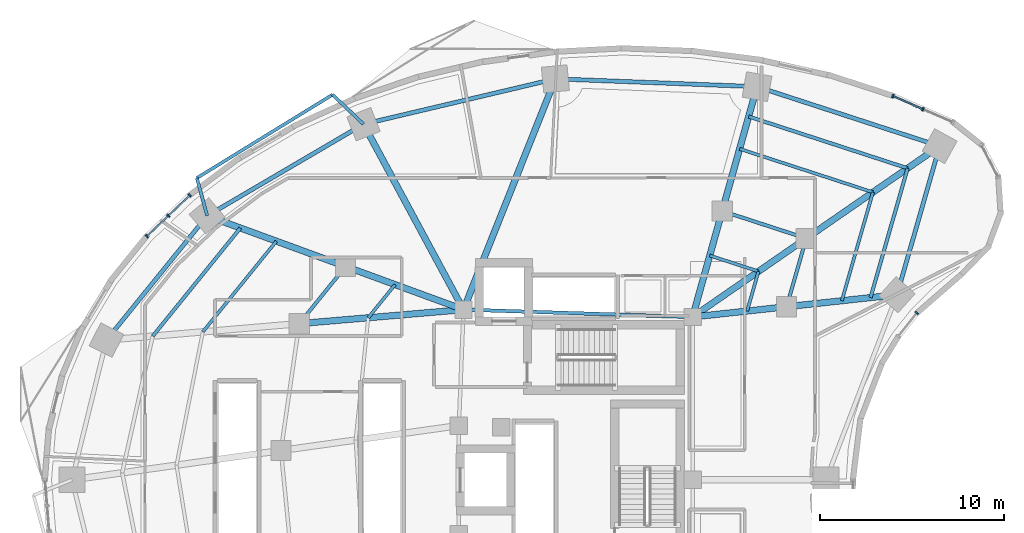
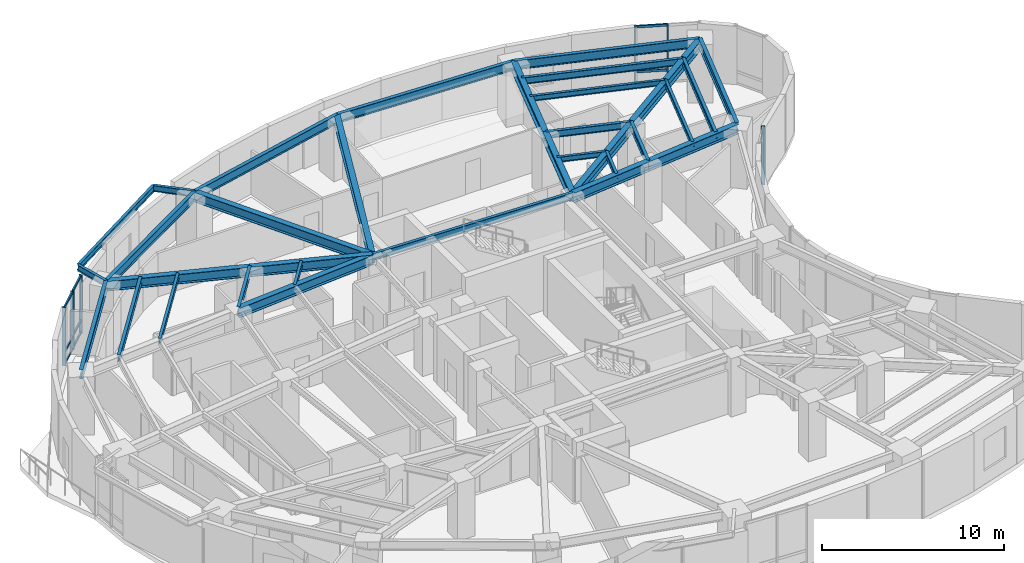
# One storey, part 5 of 15: 33 beams, 15 members, 3 elements without a shape of their own.
"""IFC4 building model written with IfcOpenShell, lengths in metres."""

from ifc_helpers import new_model, si_unit, direction, frame, origin, origin_2d, place, context, subcontext, project, spatial, rectangle, i_section, extrude, material, layer, layer_set, material_profile, profile_set, type_object, element, aggregate, save


model = new_model("IFC4")

# Units and contexts
model_context = context("Model", 3, precision=1e-05, world=origin(), true_north=direction((0.0, 1.0)))
body_context = subcontext(model_context, "Body", "Model", "MODEL_VIEW")
ifc_project = project(units=[si_unit("LENGTHUNIT", "METRE"), si_unit("AREAUNIT", "SQUARE_METRE"), si_unit("VOLUMEUNIT", "CUBIC_METRE"), si_unit("PLANEANGLEUNIT", "RADIAN"), si_unit("MASSUNIT", "GRAM", prefix="KILO")], contexts=[model_context])

# Site, building, storey
site_placement = place(None, origin())
site = spatial("IfcSite", under=ifc_project, at=site_placement, CompositionType="ELEMENT")
building_placement = place(site_placement, origin())
building = spatial("IfcBuilding", under=site, at=building_placement, Name="Korentha Bioscience Tower", CompositionType="ELEMENT")
storey_placement = place(building_placement, frame((0.0, 0.0, 34.199951171875)))
storey = spatial("IfcBuildingStorey", under=building, at=storey_placement, Name="L07", CompositionType="ELEMENT", Elevation=34.199951171875)

# Beams
ifc_material_1 = material(Name="Steel S355", Category="steel")
ifc_material_profile_1 = material_profile(ifc_material_1, i_section(OverallWidth=0.18994140625, OverallDepth=0.45703125, WebThickness=0.009033203125, FlangeThickness=0.014404296875, at=origin_2d()), Name="Steel S355")
ifc_profile_set_1 = profile_set([ifc_material_profile_1], Name="Steel S355 (MB-460)")
beam_type_1 = type_object("IfcBeamType", Name="Mid-Ring Tie Girder W460x74", PredefinedType="BEAM", material=ifc_profile_set_1)
beam_1_placement = place(storey_placement, frame((43.7265625, 40.121337890625, 3.671630859375), z_axis=(-0.950877001105, 0.309568940253, 0.0), x_axis=(-0.309568940253, -0.950877001105, 0.0)))
element("IfcBeam", 1, at=beam_1_placement, inside=storey, type_object=beam_type_1, Name="L07 Mid-Ring Tie Girder 01", PredefinedType="BEAM", context=body_context, shape_type="SweptSolid", body=[
    extrude(i_section(OverallWidth=0.18994140625, OverallDepth=0.45703125, WebThickness=0.009033203125, FlangeThickness=0.014404296875, at=origin_2d()), origin(), (0.0, 0.0, 1.0), 4.80126953125),
])
beam_2_placement = place(storey_placement, frame((18.692138671875, 38.5947265625, 3.671630859375), z_axis=(-0.629790009744, -0.776765436684, 0.0), x_axis=(0.776765436684, -0.629790009744, 0.0)))
element("IfcBeam", 2, at=beam_2_placement, inside=storey, type_object=beam_type_1, Name="L07 Mid-Ring Tie Girder 05", PredefinedType="BEAM", context=body_context, shape_type="SweptSolid", body=[
    extrude(i_section(OverallWidth=0.18994140625, OverallDepth=0.45703125, WebThickness=0.009033203125, FlangeThickness=0.014404296875, at=origin_2d()), origin(), (0.0, 0.0, 1.0), 3.998291015625),
])
beam_3_placement = place(storey_placement, frame((42.66162109375, 36.406982421875, 3.671630859375), z_axis=(0.27560557792, 0.961270807535, 0.0), x_axis=(-0.961270807535, 0.27560557792, 0.0)))
element("IfcBeam", 3, at=beam_3_placement, inside=storey, type_object=beam_type_1, Name="L07 Mid-Ring Tie Girder 16", PredefinedType="BEAM", context=body_context, shape_type="SweptSolid", body=[
    extrude(i_section(OverallWidth=0.18994140625, OverallDepth=0.45703125, WebThickness=0.009033203125, FlangeThickness=0.014404296875, at=origin_2d()), origin(), (0.0, 0.0, 1.0), 3.864013671875),
])
beam_4_placement = place(storey_placement, frame((37.550048828125, 35.85009765625, 3.671630859375), z_axis=(-0.999484526071, 0.032104238723, 0.0), x_axis=(-0.032104238723, -0.999484526071, 0.0)))
element("IfcBeam", 4, at=beam_4_placement, inside=storey, type_object=beam_type_1, Name="L07 Core Ring Tie Girder 01", PredefinedType="BEAM", context=body_context, shape_type="SweptSolid", body=[
    extrude(i_section(OverallWidth=0.18994140625, OverallDepth=0.45703125, WebThickness=0.009033203125, FlangeThickness=0.014404296875, at=origin_2d()), origin(), (0.0, 0.0, 1.0), 12.456298828125),
])

# Curtain wall, members
ifc_material_2 = material(Name="Thermally Broken Aluminium Frame", Category="aluminium")
ifc_layer = layer(ifc_material_2, 0.219970703125, Name="Thermally Broken Aluminium Frame")
ifc_layer_set = layer_set([ifc_layer], Name="Thermally Broken Aluminium Frame (CW-T1)")
curtain_wall_type = type_object("IfcCurtainWallType", Name="Standard Bioscience Lab Unitised Curtain Wall CW-T1", PredefinedType="USERDEFINED", material=ifc_layer_set)
curtain_wall_1_placement = place(storey_placement, origin())
curtain_wall_1 = element("IfcCurtainWall", 5, at=curtain_wall_1_placement, inside=storey, type_object=curtain_wall_type, Name="L07 Curtain Wall 01", ObjectType="UNITISED", PredefinedType="USERDEFINED")
ifc_material_3 = material(Name="Anodised Aluminium 6063-T6", Category="aluminium")
ifc_material_profile_2 = material_profile(ifc_material_3, rectangle(XDim=0.090087890625, YDim=0.199951171875, at=origin_2d()), Name="Anodised Aluminium 6063-T6")
ifc_profile_set_2 = profile_set([ifc_material_profile_2], Name="Anodised Aluminium 6063-T6 (CW-MUL)")
member_type_1 = type_object("IfcMemberType", Name="Mullion RECT 90x200", PredefinedType="MULLION", material=ifc_profile_set_2)
member_1_placement = place(storey_placement, frame((50.072998046875, 47.139404296875, 0.0), z_axis=(0.0, 0.0, 1.0), x_axis=(-0.91593909057, 0.401317308828, 0.0)))
member_1 = element("IfcMember", 6, at=member_1_placement, type_object=member_type_1, Name="CW-L07-01 Mullion 2", PredefinedType="MULLION", context=body_context, shape_type="SweptSolid", body=[
    extrude(rectangle(XDim=0.090087890625, YDim=0.199951171875, at=origin_2d()), origin(), (0.0, 0.0, 1.0), 3.900146484375),
])
member_2_placement = place(storey_placement, frame((48.43212890625, 47.8583984375, 0.0), z_axis=(0.0, 0.0, 1.0), x_axis=(-0.91593909057, 0.401317308828, 0.0)))
member_2 = element("IfcMember", 7, at=member_2_placement, type_object=member_type_1, Name="CW-L07-01 Mullion 3", PredefinedType="MULLION", context=body_context, shape_type="SweptSolid", body=[
    extrude(rectangle(XDim=0.090087890625, YDim=0.199951171875, at=origin_2d()), origin(), (0.0, 0.0, 1.0), 3.900146484375),
])

curtain_wall_2_placement = place(storey_placement, origin())
curtain_wall_2 = element("IfcCurtainWall", 8, at=curtain_wall_2_placement, inside=storey, type_object=curtain_wall_type, Name="L07 Curtain Wall 13", ObjectType="UNITISED", PredefinedType="USERDEFINED")
member_3_placement = place(storey_placement, frame((10.228759765625, 42.467041015625, 0.0), z_axis=(0.0, 0.0, 1.0), x_axis=(-0.723641761581, -0.690175775361, 0.0)))
member_3 = element("IfcMember", 9, at=member_3_placement, type_object=member_type_1, Name="CW-L07-13 Mullion 1", PredefinedType="MULLION", context=body_context, shape_type="SweptSolid", body=[
    extrude(rectangle(XDim=0.090087890625, YDim=0.199951171875, at=origin_2d()), origin(), (0.0, 0.0, 1.0), 3.900146484375),
])
member_4_placement = place(storey_placement, frame((9.05908203125, 41.3515625, 0.0), z_axis=(0.0, 0.0, 1.0), x_axis=(-0.723641761581, -0.690175775361, 0.0)))
member_4 = element("IfcMember", 10, at=member_4_placement, type_object=member_type_1, Name="CW-L07-13 Mullion 2", PredefinedType="MULLION", context=body_context, shape_type="SweptSolid", body=[
    extrude(rectangle(XDim=0.090087890625, YDim=0.199951171875, at=origin_2d()), origin(), (0.0, 0.0, 1.0), 3.900146484375),
])
member_5_placement = place(storey_placement, frame((7.889404296875, 40.236083984375, 0.0), z_axis=(0.0, 0.0, 1.0), x_axis=(-0.723641761581, -0.690175775361, 0.0)))
member_5 = element("IfcMember", 11, at=member_5_placement, type_object=member_type_1, Name="CW-L07-13 Mullion 3", PredefinedType="MULLION", context=body_context, shape_type="SweptSolid", body=[
    extrude(rectangle(XDim=0.090087890625, YDim=0.199951171875, at=origin_2d()), origin(), (0.0, 0.0, 1.0), 3.900146484375),
])

# Curtain wall, member
curtain_wall_3_placement = place(storey_placement, origin())
curtain_wall_3 = element("IfcCurtainWall", 12, at=curtain_wall_3_placement, inside=storey, type_object=curtain_wall_type, Name="L07 Curtain Wall 55", ObjectType="UNITISED", PredefinedType="USERDEFINED")
member_6_placement = place(storey_placement, frame((49.73291015625, 36.072021484375, 0.0), z_axis=(0.0, 0.0, 1.0), x_axis=(0.622520324648, 0.782603632371, 0.0)))
member_6 = element("IfcMember", 13, at=member_6_placement, type_object=member_type_1, Name="CW-L07-55 Mullion 2", PredefinedType="MULLION", context=body_context, shape_type="SweptSolid", body=[
    extrude(rectangle(XDim=0.090087890625, YDim=0.199951171875, at=origin_2d()), origin(), (0.0, 0.0, 1.0), 3.900146484375),
])
aggregate(curtain_wall_3, [member_6])

# Beams
ifc_material_profile_3 = material_profile(ifc_material_1, i_section(OverallWidth=0.22802734375, OverallDepth=0.60791015625, WebThickness=0.01123046875, FlangeThickness=0.017333984375, at=origin_2d()), Name="Steel S355")
ifc_profile_set_3 = profile_set([ifc_material_profile_3], Name="Steel S355 (SB-610)")
beam_type_2 = type_object("IfcBeamType", Name="Perimeter Ring Spandrel Girder W610x113", PredefinedType="SPANDREL", material=ifc_profile_set_3)
beam_5_placement = place(storey_placement, frame((50.977294921875, 45.135498046875, 3.595947265625), z_axis=(-0.95087511444, 0.309574735305, 0.0), x_axis=(-0.309574735305, -0.95087511444, 0.0)))
element("IfcBeam", 14, at=beam_5_placement, inside=storey, type_object=beam_type_2, Name="L07 Perimeter Spandrel Girder 01", PredefinedType="SPANDREL", context=body_context, shape_type="SweptSolid", body=[
    extrude(i_section(OverallWidth=0.22802734375, OverallDepth=0.60791015625, WebThickness=0.01123046875, FlangeThickness=0.017333984375, at=origin_2d()), origin(), (0.0, 0.0, 1.0), 10.4375),
])
beam_6_placement = place(storey_placement, frame((41.052490234375, 48.36669921875, 3.595947265625), z_axis=(-0.999246003889, 0.03882555488, 0.0), x_axis=(-0.03882555488, -0.999246003889, 0.0)))
element("IfcBeam", 15, at=beam_6_placement, inside=storey, type_object=beam_type_2, Name="L07 Perimeter Spandrel Girder 02", PredefinedType="SPANDREL", context=body_context, shape_type="SweptSolid", body=[
    extrude(i_section(OverallWidth=0.22802734375, OverallDepth=0.60791015625, WebThickness=0.01123046875, FlangeThickness=0.017333984375, at=origin_2d()), origin(), (0.0, 0.0, 1.0), 10.966552734375),
])
beam_7_placement = place(storey_placement, frame((30.09423828125, 48.79248046875, 3.595947265625), z_axis=(-0.973207885376, -0.229926970672, 0.0), x_axis=(0.229926970672, -0.973207885376, 0.0)))
element("IfcBeam", 16, at=beam_7_placement, inside=storey, type_object=beam_type_2, Name="L07 Perimeter Spandrel Girder 03", PredefinedType="SPANDREL", context=body_context, shape_type="SweptSolid", body=[
    extrude(i_section(OverallWidth=0.22802734375, OverallDepth=0.60791015625, WebThickness=0.01123046875, FlangeThickness=0.017333984375, at=origin_2d()), origin(), (0.0, 0.0, 1.0), 10.71484375),
])
beam_8_placement = place(storey_placement, frame((19.66650390625, 46.328857421875, 3.595947265625), z_axis=(-0.862656574181, -0.505790109653, 0.0), x_axis=(0.505790109653, -0.862656574181, 0.0)))
element("IfcBeam", 17, at=beam_8_placement, inside=storey, type_object=beam_type_2, Name="L07 Perimeter Spandrel Girder 04", PredefinedType="SPANDREL", context=body_context, shape_type="SweptSolid", body=[
    extrude(i_section(OverallWidth=0.22802734375, OverallDepth=0.60791015625, WebThickness=0.01123046875, FlangeThickness=0.017333984375, at=origin_2d()), origin(), (0.0, 0.0, 1.0), 9.849365234375),
])
beam_9_placement = place(storey_placement, frame((11.169921875, 41.34716796875, 3.595947265625), z_axis=(-0.629799210231, -0.776757976974, 0.0), x_axis=(0.776757976974, -0.629799210231, 0.0)))
element("IfcBeam", 18, at=beam_9_placement, inside=storey, type_object=beam_type_2, Name="L07 Perimeter Spandrel Girder 05", PredefinedType="SPANDREL", context=body_context, shape_type="SweptSolid", body=[
    extrude(i_section(OverallWidth=0.22802734375, OverallDepth=0.60791015625, WebThickness=0.01123046875, FlangeThickness=0.017333984375, at=origin_2d()), origin(), (0.0, 0.0, 1.0), 8.69189453125),
])
beam_10_placement = place(storey_placement, frame((48.661865234375, 37.060791015625, 3.595947265625), z_axis=(0.275642273411, 0.961260285827, 0.0), x_axis=(-0.961260285827, 0.275642273411, 0.0)))
element("IfcBeam", 19, at=beam_10_placement, inside=storey, type_object=beam_type_2, Name="L07 Perimeter Spandrel Girder 16", PredefinedType="SPANDREL", context=body_context, shape_type="SweptSolid", body=[
    extrude(i_section(OverallWidth=0.22802734375, OverallDepth=0.60791015625, WebThickness=0.01123046875, FlangeThickness=0.017333984375, at=origin_2d()), origin(), (0.0, 0.0, 1.0), 8.400146484375),
])
ifc_material_profile_4 = material_profile(ifc_material_1, i_section(OverallWidth=0.18994140625, OverallDepth=0.45703125, WebThickness=0.009033203125, FlangeThickness=0.014404296875, at=origin_2d()), Name="Steel S355")
ifc_profile_set_4 = profile_set([ifc_material_profile_4], Name="Steel S355 (RB-460)")
beam_type_3 = type_object("IfcBeamType", Name="Radial Laboratory Beam W460x74", PredefinedType="BEAM", material=ifc_profile_set_4)
beam_11_placement = place(storey_placement, frame((49.2373046875, 43.931884765625, 3.671630859375), z_axis=(-0.95087437499, 0.309577006554, 0.0), x_axis=(-0.309577006554, -0.95087437499, 0.0)))
element("IfcBeam", 20, at=beam_11_placement, inside=storey, type_object=beam_type_3, Name="L07 Secondary Floor Beam JSTO-01", PredefinedType="BEAM", context=body_context, shape_type="SweptSolid", body=[
    extrude(i_section(OverallWidth=0.18994140625, OverallDepth=0.45703125, WebThickness=0.009033203125, FlangeThickness=0.014404296875, at=origin_2d()), origin(), (0.0, 0.0, 1.0), 9.0849609375),
])
beam_12_placement = place(storey_placement, frame((12.97509765625, 40.6865234375, 3.671630859375), z_axis=(-0.629797748553, -0.776759162107, 0.0), x_axis=(0.776759162107, -0.629797748553, 0.0)))
element("IfcBeam", 21, at=beam_12_placement, inside=storey, type_object=beam_type_3, Name="L07 Secondary Floor Beam JSTO-05", PredefinedType="BEAM", context=body_context, shape_type="SweptSolid", body=[
    extrude(i_section(OverallWidth=0.18994140625, OverallDepth=0.45703125, WebThickness=0.009033203125, FlangeThickness=0.014404296875, at=origin_2d()), origin(), (0.0, 0.0, 1.0), 7.5654296875),
])
beam_13_placement = place(storey_placement, frame((47.2216796875, 36.90380859375, 3.671630859375), z_axis=(0.275682421415, 0.961248772443, 0.0), x_axis=(-0.961248772443, 0.275682421415, 0.0)))
element("IfcBeam", 22, at=beam_13_placement, inside=storey, type_object=beam_type_3, Name="L07 Secondary Floor Beam JSTO-16", PredefinedType="BEAM", context=body_context, shape_type="SweptSolid", body=[
    extrude(i_section(OverallWidth=0.18994140625, OverallDepth=0.45703125, WebThickness=0.009033203125, FlangeThickness=0.014404296875, at=origin_2d()), origin(), (0.0, 0.0, 1.0), 7.3115234375),
])
ifc_material_profile_5 = material_profile(ifc_material_1, i_section(OverallWidth=0.35009765625, OverallDepth=0.64990234375, WebThickness=0.01611328125, FlangeThickness=0.02490234375, at=origin_2d()), Name="Steel S355")
ifc_profile_set_5 = profile_set([ifc_material_profile_5], Name="Steel S355 (RB-650)")
beam_type_4 = type_object("IfcBeamType", Name="Radial Laboratory Girder CVS 650x208", PredefinedType="BEAM", material=ifc_profile_set_5)
beam_14_placement = place(storey_placement, frame((37.550048828125, 35.85009765625, 3.574951171875), z_axis=(0.822491697625, 0.568777115694, 0.0), x_axis=(-0.568777115694, 0.822491697625, 0.0)))
element("IfcBeam", 23, at=beam_14_placement, inside=storey, type_object=beam_type_4, Name="L07 Inner Radial Girder 01", PredefinedType="BEAM", context=body_context, shape_type="SweptSolid", body=[
    extrude(i_section(OverallWidth=0.35009765625, OverallDepth=0.64990234375, WebThickness=0.01611328125, FlangeThickness=0.02490234375, at=origin_2d()), origin(), (0.0, 0.0, 1.0), 7.509521484375),
])
beam_15_placement = place(storey_placement, frame((43.7265625, 40.121337890625, 3.574951171875), z_axis=(0.822488186113, 0.568782193555, 0.0), x_axis=(-0.568782193555, 0.822488186113, 0.0)))
element("IfcBeam", 24, at=beam_15_placement, inside=storey, type_object=beam_type_4, Name="L07 Outer Radial Girder 01", PredefinedType="BEAM", context=body_context, shape_type="SweptSolid", body=[
    extrude(i_section(OverallWidth=0.35009765625, OverallDepth=0.64990234375, WebThickness=0.01611328125, FlangeThickness=0.02490234375, at=origin_2d()), origin(), (0.0, 0.0, 1.0), 8.815673828125),
])
beam_16_placement = place(storey_placement, frame((37.550048828125, 35.85009765625, 3.574951171875), z_axis=(0.269469369205, 0.963008961049, 0.0), x_axis=(-0.963008961049, 0.269469369205, 0.0)))
element("IfcBeam", 25, at=beam_16_placement, inside=storey, type_object=beam_type_4, Name="L07 Inner Radial Girder 02", PredefinedType="BEAM", context=body_context, shape_type="SweptSolid", body=[
    extrude(i_section(OverallWidth=0.35009765625, OverallDepth=0.64990234375, WebThickness=0.01611328125, FlangeThickness=0.02490234375, at=origin_2d()), origin(), (0.0, 0.0, 1.0), 5.978759765625),
])
beam_17_placement = place(storey_placement, frame((39.1611328125, 41.607666015625, 3.574951171875), z_axis=(0.269475095129, 0.963007358801, 0.0), x_axis=(-0.963007358801, 0.269475095129, 0.0)))
element("IfcBeam", 26, at=beam_17_placement, inside=storey, type_object=beam_type_4, Name="L07 Outer Radial Girder 02", PredefinedType="BEAM", context=body_context, shape_type="SweptSolid", body=[
    extrude(i_section(OverallWidth=0.35009765625, OverallDepth=0.64990234375, WebThickness=0.01611328125, FlangeThickness=0.02490234375, at=origin_2d()), origin(), (0.0, 0.0, 1.0), 7.0185546875),
])
beam_18_placement = place(storey_placement, frame((25.10009765625, 36.25, 3.574951171875), z_axis=(0.369931007413, 0.929059228335, 0.0), x_axis=(-0.929059228335, 0.369931007413, 0.0)))
element("IfcBeam", 27, at=beam_18_placement, inside=storey, type_object=beam_type_4, Name="L07 Radial Girder 03", PredefinedType="BEAM", context=body_context, shape_type="SweptSolid", body=[
    extrude(i_section(OverallWidth=0.35009765625, OverallDepth=0.64990234375, WebThickness=0.01611328125, FlangeThickness=0.02490234375, at=origin_2d()), origin(), (0.0, 0.0, 1.0), 13.500244140625),
])
beam_19_placement = place(storey_placement, frame((25.10009765625, 36.25, 3.574951171875), z_axis=(-0.47454097106, 0.880233416081, 0.0), x_axis=(-0.880233416081, -0.47454097106, 0.0)))
element("IfcBeam", 28, at=beam_19_placement, inside=storey, type_object=beam_type_4, Name="L07 Radial Girder 04", PredefinedType="BEAM", context=body_context, shape_type="SweptSolid", body=[
    extrude(i_section(OverallWidth=0.35009765625, OverallDepth=0.64990234375, WebThickness=0.01611328125, FlangeThickness=0.02490234375, at=origin_2d()), origin(), (0.0, 0.0, 1.0), 11.4501953125),
])
beam_20_placement = place(storey_placement, frame((25.10009765625, 36.25, 3.574951171875), z_axis=(-0.939106237741, 0.343626940498, 0.0), x_axis=(-0.343626940498, -0.939106237741, 0.0)))
element("IfcBeam", 29, at=beam_20_placement, inside=storey, type_object=beam_type_4, Name="L07 Inner Radial Girder 05", PredefinedType="BEAM", context=body_context, shape_type="SweptSolid", body=[
    extrude(i_section(OverallWidth=0.35009765625, OverallDepth=0.64990234375, WebThickness=0.01611328125, FlangeThickness=0.02490234375, at=origin_2d()), origin(), (0.0, 0.0, 1.0), 6.823486328125),
])
beam_21_placement = place(storey_placement, frame((18.692138671875, 38.5947265625, 3.574951171875), z_axis=(-0.939106299948, 0.343626770491, 0.0), x_axis=(-0.343626770491, -0.939106299948, 0.0)))
element("IfcBeam", 30, at=beam_21_placement, inside=storey, type_object=beam_type_4, Name="L07 Outer Radial Girder 05", PredefinedType="BEAM", context=body_context, shape_type="SweptSolid", body=[
    extrude(i_section(OverallWidth=0.35009765625, OverallDepth=0.64990234375, WebThickness=0.01611328125, FlangeThickness=0.02490234375, at=origin_2d()), origin(), (0.0, 0.0, 1.0), 8.010009765625),
])
beam_22_placement = place(storey_placement, frame((25.10009765625, 36.25, 3.574951171875), z_axis=(-0.996385503026, -0.08494662654, 0.0), x_axis=(0.08494662654, -0.996385503026, 0.0)))
element("IfcBeam", 31, at=beam_22_placement, inside=storey, type_object=beam_type_4, Name="L07 Inner Radial Girder 06", PredefinedType="BEAM", context=body_context, shape_type="SweptSolid", body=[
    extrude(i_section(OverallWidth=0.35009765625, OverallDepth=0.64990234375, WebThickness=0.01611328125, FlangeThickness=0.02490234375, at=origin_2d()), origin(), (0.0, 0.0, 1.0), 8.95849609375),
])
beam_23_placement = place(storey_placement, frame((37.550048828125, 35.85009765625, 3.574951171875), z_axis=(0.994117709144, 0.10830503389, 0.0), x_axis=(-0.10830503389, 0.994117709144, 0.0)))
element("IfcBeam", 32, at=beam_23_placement, inside=storey, type_object=beam_type_4, Name="L07 Inner Radial Girder 16", PredefinedType="BEAM", context=body_context, shape_type="SweptSolid", body=[
    extrude(i_section(OverallWidth=0.35009765625, OverallDepth=0.64990234375, WebThickness=0.01611328125, FlangeThickness=0.02490234375, at=origin_2d()), origin(), (0.0, 0.0, 1.0), 5.141845703125),
])
beam_24_placement = place(storey_placement, frame((42.66162109375, 36.406982421875, 3.574951171875), z_axis=(0.994115805925, 0.108322501862, 0.0), x_axis=(-0.108322501862, 0.994115805925, 0.0)))
element("IfcBeam", 33, at=beam_24_placement, inside=storey, type_object=beam_type_4, Name="L07 Outer Radial Girder 16", PredefinedType="BEAM", context=body_context, shape_type="SweptSolid", body=[
    extrude(i_section(OverallWidth=0.35009765625, OverallDepth=0.64990234375, WebThickness=0.01611328125, FlangeThickness=0.02490234375, at=origin_2d()), origin(), (0.0, 0.0, 1.0), 6.03564453125),
])
ifc_material_profile_6 = material_profile(ifc_material_1, i_section(OverallWidth=0.1708984375, OverallDepth=0.35498046875, WebThickness=0.007080078125, FlangeThickness=0.01171875, at=origin_2d()), Name="Steel S355")
ifc_profile_set_6 = profile_set([ifc_material_profile_6], Name="Steel S355 (JB-360)")
beam_type_5 = type_object("IfcBeamType", Name="Secondary Laboratory Joist W360x51", PredefinedType="JOIST", material=ifc_profile_set_6)
beam_25_placement = place(storey_placement, frame((47.35205078125, 42.62841796875, 3.72265625), z_axis=(-0.950870992772, 0.309587394938, 0.0), x_axis=(-0.309587394938, -0.950870992772, 0.0)))
element("IfcBeam", 34, at=beam_25_placement, inside=storey, type_object=beam_type_5, Name="L07 Secondary Floor Beam JST-01", PredefinedType="JOIST", context=body_context, shape_type="SweptSolid", body=[
    extrude(i_section(OverallWidth=0.1708984375, OverallDepth=0.35498046875, WebThickness=0.007080078125, FlangeThickness=0.01171875, at=origin_2d()), origin(), (0.0, 0.0, 1.0), 7.619384765625),
])
beam_26_placement = place(storey_placement, frame((41.13232421875, 38.327392578125, 3.72265625), z_axis=(-0.950869630746, 0.309591578254, 0.0), x_axis=(-0.309591578254, -0.950869630746, 0.0)))
element("IfcBeam", 35, at=beam_26_placement, inside=storey, type_object=beam_type_5, Name="L07 Inner Bay Joist 01", PredefinedType="JOIST", context=body_context, shape_type="SweptSolid", body=[
    extrude(i_section(OverallWidth=0.1708984375, OverallDepth=0.35498046875, WebThickness=0.007080078125, FlangeThickness=0.01171875, at=origin_2d()), origin(), (0.0, 0.0, 1.0), 2.784423828125),
])
beam_27_placement = place(storey_placement, frame((14.930908203125, 39.970947265625, 3.72265625), z_axis=(-0.629786899984, -0.776767958021, 0.0), x_axis=(0.776767958021, -0.629786899984, 0.0)))
element("IfcBeam", 36, at=beam_27_placement, inside=storey, type_object=beam_type_5, Name="L07 Secondary Floor Beam JST-05", PredefinedType="JOIST", context=body_context, shape_type="SweptSolid", body=[
    extrude(i_section(OverallWidth=0.1708984375, OverallDepth=0.35498046875, WebThickness=0.007080078125, FlangeThickness=0.01171875, at=origin_2d()), origin(), (0.0, 0.0, 1.0), 6.34521484375),
])
beam_28_placement = place(storey_placement, frame((21.38330078125, 37.60986328125, 3.72265625), z_axis=(-0.629791657613, -0.776764100613, 0.0), x_axis=(0.776764100613, -0.629791657613, 0.0)))
element("IfcBeam", 37, at=beam_28_placement, inside=storey, type_object=beam_type_5, Name="L07 Inner Bay Joist 05", PredefinedType="JOIST", context=body_context, shape_type="SweptSolid", body=[
    extrude(i_section(OverallWidth=0.1708984375, OverallDepth=0.35498046875, WebThickness=0.007080078125, FlangeThickness=0.01171875, at=origin_2d()), origin(), (0.0, 0.0, 1.0), 2.31884765625),
])
beam_29_placement = place(storey_placement, frame((45.66162109375, 36.73388671875, 3.72265625), z_axis=(0.275667500387, 0.96125305161, 0.0), x_axis=(-0.96125305161, 0.275667500387, 0.0)))
element("IfcBeam", 38, at=beam_29_placement, inside=storey, type_object=beam_type_5, Name="L07 Secondary Floor Beam JST-16", PredefinedType="JOIST", context=body_context, shape_type="SweptSolid", body=[
    extrude(i_section(OverallWidth=0.1708984375, OverallDepth=0.35498046875, WebThickness=0.007080078125, FlangeThickness=0.01171875, at=origin_2d()), origin(), (0.0, 0.0, 1.0), 6.132080078125),
])
beam_30_placement = place(storey_placement, frame((40.5146484375, 36.173095703125, 3.72265625), z_axis=(0.275613067773, 0.961268660091, 0.0), x_axis=(-0.961268660091, 0.275613067773, 0.0)))
element("IfcBeam", 39, at=beam_30_placement, inside=storey, type_object=beam_type_5, Name="L07 Inner Bay Joist 16", PredefinedType="JOIST", context=body_context, shape_type="SweptSolid", body=[
    extrude(i_section(OverallWidth=0.1708984375, OverallDepth=0.35498046875, WebThickness=0.007080078125, FlangeThickness=0.01171875, at=origin_2d()), origin(), (0.0, 0.0, 1.0), 2.2412109375),
])
ifc_material_profile_7 = material_profile(ifc_material_1, i_section(OverallWidth=0.177978515625, OverallDepth=0.406982421875, WebThickness=0.0078125, FlangeThickness=0.0126953125, at=origin_2d()), Name="Steel S355")
ifc_profile_set_7 = profile_set([ifc_material_profile_7], Name="Steel S355 (CB-410)")
beam_type_6 = type_object("IfcBeamType", Name="Sun-Ledge Cantilever Beam W410x60", PredefinedType="BEAM", material=ifc_profile_set_7)
beam_31_placement = place(storey_placement, frame((19.66650390625, 46.328857421875, 3.698486328125), z_axis=(-0.72412793639, 0.689665666638, 0.0), x_axis=(-0.689665666638, -0.72412793639, 0.0)))
element("IfcBeam", 40, at=beam_31_placement, inside=storey, type_object=beam_type_6, Name="L07 Balcony Cantilever Bracket A-L08-01", PredefinedType="BEAM", context=body_context, shape_type="SweptSolid", body=[
    extrude(i_section(OverallWidth=0.177978515625, OverallDepth=0.406982421875, WebThickness=0.0078125, FlangeThickness=0.0126953125, at=origin_2d()), origin(), (0.0, 0.0, 1.0), 2.32373046875),
])
beam_32_placement = place(storey_placement, frame((11.169921875, 41.34716796875, 3.698486328125), z_axis=(-0.262283122947, 0.964990965459, 0.0), x_axis=(-0.964990965459, -0.262283122947, 0.0)))
element("IfcBeam", 41, at=beam_32_placement, inside=storey, type_object=beam_type_6, Name="L07 Balcony Cantilever Bracket B-L08-01", PredefinedType="BEAM", context=body_context, shape_type="SweptSolid", body=[
    extrude(i_section(OverallWidth=0.177978515625, OverallDepth=0.406982421875, WebThickness=0.0078125, FlangeThickness=0.0126953125, at=origin_2d()), origin(), (0.0, 0.0, 1.0), 2.129638671875),
])
beam_33_placement = place(storey_placement, frame((17.98388671875, 47.931396484375, 3.698486328125), z_axis=(-0.852065918872, -0.52343449437, 0.0), x_axis=(0.52343449437, -0.852065918872, 0.0)))
element("IfcBeam", 42, at=beam_33_placement, inside=storey, type_object=beam_type_6, Name="L07 Balcony Edge Trimmer Beam L08-01", PredefinedType="BEAM", context=body_context, shape_type="SweptSolid", body=[
    extrude(i_section(OverallWidth=0.177978515625, OverallDepth=0.406982421875, WebThickness=0.0078125, FlangeThickness=0.0126953125, at=origin_2d()), origin(), (0.0, 0.0, 1.0), 8.652587890625),
])

# Member
ifc_material_profile_8 = material_profile(ifc_material_3, rectangle(XDim=0.090087890625, YDim=0.159912109375, at=origin_2d()), Name="Anodised Aluminium 6063-T6")
ifc_profile_set_8 = profile_set([ifc_material_profile_8], Name="Anodised Aluminium 6063-T6 (CW-TRN)")
member_type_2 = type_object("IfcMemberType", Name="Transom RECT 90x160", PredefinedType="USERDEFINED", material=ifc_profile_set_8)
member_7_placement = place(storey_placement, frame((50.031494140625, 47.15771484375, 0.045166015625), z_axis=(-0.915952992218, 0.401285579167, 0.0), x_axis=(-0.401285579167, -0.915952992218, 0.0)))
member_7 = element("IfcMember", 43, at=member_7_placement, type_object=member_type_2, Name="CW-L07-01 Bay 2 Transom 1", ObjectType="TRANSOM", PredefinedType="USERDEFINED", context=body_context, shape_type="SweptSolid", body=[
    extrude(rectangle(XDim=0.090087890625, YDim=0.159912109375, at=origin_2d()), origin(), (0.0, 0.0, 1.0), 1.701171875),
])

member_8_placement = place(storey_placement, frame((50.031494140625, 47.15771484375, 0.85009765625), z_axis=(-0.915952992218, 0.401285579167, 0.0), x_axis=(-0.401285579167, -0.915952992218, 0.0)))
member_8 = element("IfcMember", 44, at=member_8_placement, type_object=member_type_2, Name="CW-L07-01 Bay 2 Transom 2", ObjectType="TRANSOM", PredefinedType="USERDEFINED", context=body_context, shape_type="SweptSolid", body=[
    extrude(rectangle(XDim=0.090087890625, YDim=0.159912109375, at=origin_2d()), origin(), (0.0, 0.0, 1.0), 1.701171875),
])

member_9_placement = place(storey_placement, frame((50.031494140625, 47.15771484375, 3.85498046875), z_axis=(-0.915952992218, 0.401285579167, 0.0), x_axis=(-0.401285579167, -0.915952992218, 0.0)))
member_9 = element("IfcMember", 45, at=member_9_placement, type_object=member_type_2, Name="CW-L07-01 Bay 2 Transom 3", ObjectType="TRANSOM", PredefinedType="USERDEFINED", context=body_context, shape_type="SweptSolid", body=[
    extrude(rectangle(XDim=0.090087890625, YDim=0.159912109375, at=origin_2d()), origin(), (0.0, 0.0, 1.0), 1.701171875),
])

aggregate(curtain_wall_1, [member_1, member_2, member_7, member_8, member_9])

member_10_placement = place(storey_placement, frame((10.1962890625, 42.43603515625, 0.045166015625), z_axis=(-0.72370039216, -0.690114296612, 0.0), x_axis=(0.690114296612, -0.72370039216, 0.0)))
member_10 = element("IfcMember", 46, at=member_10_placement, type_object=member_type_2, Name="CW-L07-13 Bay 1 Transom 1", ObjectType="TRANSOM", PredefinedType="USERDEFINED", context=body_context, shape_type="SweptSolid", body=[
    extrude(rectangle(XDim=0.090087890625, YDim=0.159912109375, at=origin_2d()), origin(), (0.0, 0.0, 1.0), 1.526611328125),
])

member_11_placement = place(storey_placement, frame((10.1962890625, 42.43603515625, 0.85009765625), z_axis=(-0.72370039216, -0.690114296612, 0.0), x_axis=(0.690114296612, -0.72370039216, 0.0)))
member_11 = element("IfcMember", 47, at=member_11_placement, type_object=member_type_2, Name="CW-L07-13 Bay 1 Transom 2", ObjectType="TRANSOM", PredefinedType="USERDEFINED", context=body_context, shape_type="SweptSolid", body=[
    extrude(rectangle(XDim=0.090087890625, YDim=0.159912109375, at=origin_2d()), origin(), (0.0, 0.0, 1.0), 1.526611328125),
])

member_12_placement = place(storey_placement, frame((10.1962890625, 42.43603515625, 3.85498046875), z_axis=(-0.72370039216, -0.690114296612, 0.0), x_axis=(0.690114296612, -0.72370039216, 0.0)))
member_12 = element("IfcMember", 48, at=member_12_placement, type_object=member_type_2, Name="CW-L07-13 Bay 1 Transom 3", ObjectType="TRANSOM", PredefinedType="USERDEFINED", context=body_context, shape_type="SweptSolid", body=[
    extrude(rectangle(XDim=0.090087890625, YDim=0.159912109375, at=origin_2d()), origin(), (0.0, 0.0, 1.0), 1.526611328125),
])

member_13_placement = place(storey_placement, frame((9.026611328125, 41.320556640625, 0.045166015625), z_axis=(-0.72370039216, -0.690114296612, 0.0), x_axis=(0.690114296612, -0.72370039216, 0.0)))
member_13 = element("IfcMember", 49, at=member_13_placement, type_object=member_type_2, Name="CW-L07-13 Bay 2 Transom 1", ObjectType="TRANSOM", PredefinedType="USERDEFINED", context=body_context, shape_type="SweptSolid", body=[
    extrude(rectangle(XDim=0.090087890625, YDim=0.159912109375, at=origin_2d()), origin(), (0.0, 0.0, 1.0), 1.526611328125),
])

member_14_placement = place(storey_placement, frame((9.026611328125, 41.320556640625, 0.85009765625), z_axis=(-0.72370039216, -0.690114296612, 0.0), x_axis=(0.690114296612, -0.72370039216, 0.0)))
member_14 = element("IfcMember", 50, at=member_14_placement, type_object=member_type_2, Name="CW-L07-13 Bay 2 Transom 2", ObjectType="TRANSOM", PredefinedType="USERDEFINED", context=body_context, shape_type="SweptSolid", body=[
    extrude(rectangle(XDim=0.090087890625, YDim=0.159912109375, at=origin_2d()), origin(), (0.0, 0.0, 1.0), 1.526611328125),
])

member_15_placement = place(storey_placement, frame((9.026611328125, 41.320556640625, 3.85498046875), z_axis=(-0.72370039216, -0.690114296612, 0.0), x_axis=(0.690114296612, -0.72370039216, 0.0)))
member_15 = element("IfcMember", 51, at=member_15_placement, type_object=member_type_2, Name="CW-L07-13 Bay 2 Transom 3", ObjectType="TRANSOM", PredefinedType="USERDEFINED", context=body_context, shape_type="SweptSolid", body=[
    extrude(rectangle(XDim=0.090087890625, YDim=0.159912109375, at=origin_2d()), origin(), (0.0, 0.0, 1.0), 1.526611328125),
])

aggregate(curtain_wall_2, [member_3, member_4, member_5, member_10, member_11, member_12, member_13, member_14, member_15])

save(model, "model.ifc")
